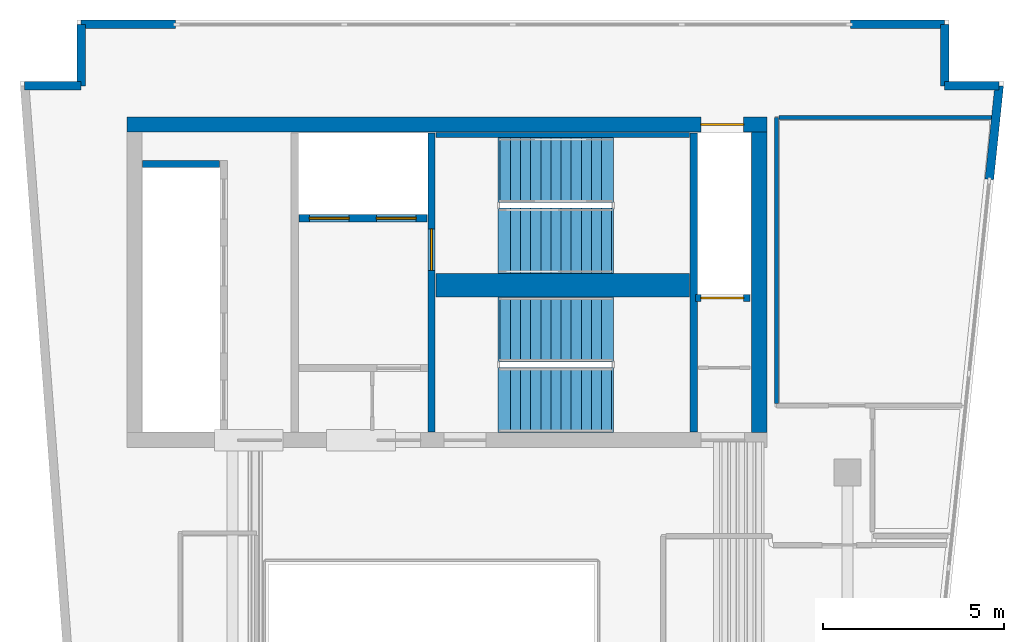
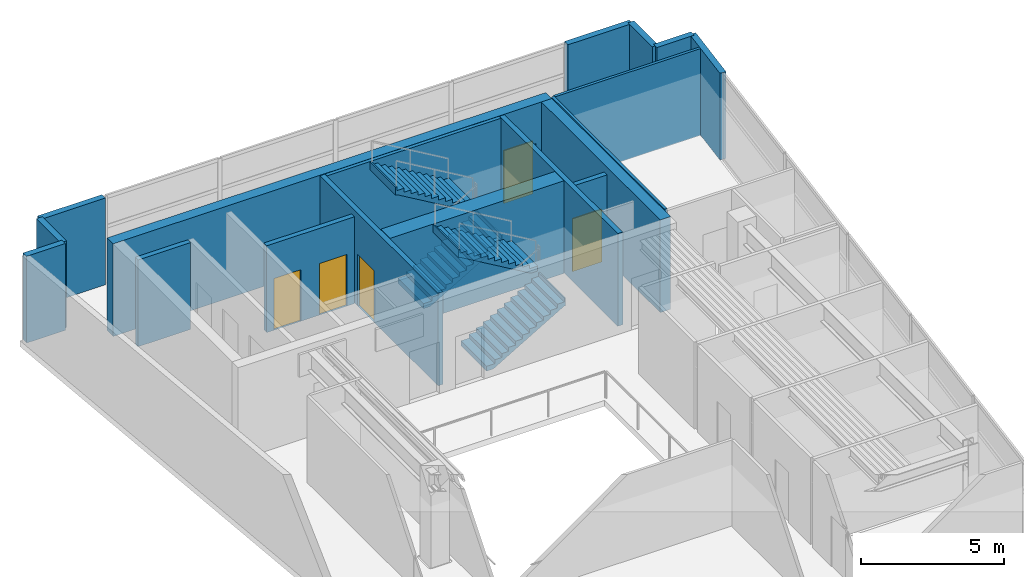
# One storey, part 4 of 6: 18 walls, 5 doors, 4 stair flights, 5 openings, 2 elements without a shape of their own.
"""IFC4 building model written with IfcOpenShell, lengths in metres."""

from ifc_helpers import new_model, si_unit, direction, frame, frame_2d, origin, place, context, subcontext, project, spatial, polyline, rectangle, outline, extrude, material, layer, layer_set, type_object, element, fill, aggregate, save


model = new_model("IFC4")

# Units and contexts
model_context = context("Model", 3, precision=1e-05, world=origin(), true_north=direction((0.0, 1.0)))
body_context = subcontext(model_context, "Body", "Model", "MODEL_VIEW")
ifc_project = project(units=[si_unit("LENGTHUNIT", "METRE"), si_unit("AREAUNIT", "SQUARE_METRE"), si_unit("VOLUMEUNIT", "CUBIC_METRE"), si_unit("PLANEANGLEUNIT", "RADIAN"), si_unit("MASSUNIT", "GRAM", prefix="KILO")], contexts=[model_context])

# Site, building, storey
site_placement = place(None, origin())
site = spatial("IfcSite", under=ifc_project, at=site_placement, CompositionType="ELEMENT")
building_placement = place(site_placement, origin())
building = spatial("IfcBuilding", under=site, at=building_placement, Name="Caeloran Harvest Quay", CompositionType="ELEMENT")
storey_placement = place(building_placement, frame((0.0, 0.0, 280.39990234375)))
storey = spatial("IfcBuildingStorey", under=building, at=storey_placement, Name="L67", CompositionType="ELEMENT", Elevation=280.39990234375)

# Walls
ifc_material_1 = material(Name="Precast concrete C50/60", Category="concrete")
ifc_layer_1 = layer(ifc_material_1, 0.239990234375, Name="Precast concrete C50/60")
ifc_layer_set_1 = layer_set([ifc_layer_1], Name="Precast concrete C50/60")
wall_type_1 = type_object("IfcWallType", Name="ENV-WALL-EW-240", PredefinedType="STANDARD", material=ifc_layer_set_1)
wall_1_placement = place(storey_placement, frame((2.7587890625, 41.679931640625, 0.0), z_axis=(0.0, 0.0, 1.0), x_axis=(1.0, 0.0, 0.0)))
element("IfcWall", 1, at=wall_1_placement, inside=storey, type_object=wall_type_1, Name="L67 Exterior Precast Concrete Facade Wall 4", PredefinedType="STANDARD", context=body_context, shape_type="SweptSolid", body=[
    extrude(rectangle(XDim=1.561279296875, YDim=0.239990234375, at=frame_2d((0.78076171875, 0.0))), origin(), (0.0, 0.0, 1.0), 3.7001953125),
])
wall_2_placement = place(storey_placement, frame((4.320068359375, 41.679931640625, 0.0), z_axis=(0.0, 0.0, 1.0), x_axis=(0.0, 1.0, 0.0)))
element("IfcWall", 2, at=wall_2_placement, inside=storey, type_object=wall_type_1, Name="L67 Exterior Precast Concrete Facade Wall 5", PredefinedType="STANDARD", context=body_context, shape_type="SweptSolid", body=[
    extrude(rectangle(XDim=1.699951171875, YDim=0.239990234375, at=frame_2d((0.85009765625, 0.0))), origin(), (0.0, 0.0, 1.0), 3.7001953125),
])
for number, where, z_axis, x_axis, name in (
    (3, (4.320068359375, 43.3798828125, 0.0), (0.0, 0.0, 1.0), (1.0, 0.0, 0.0), "L67 Exterior Facade Corner Pier Wall 6A"),
    (4, (25.580078125, 43.3798828125, 0.0), (0.0, 0.0, 1.0), (1.0, 0.0, 0.0), "L67 Exterior Facade Corner Pier Wall 6B"),
):
    element("IfcWall", number, at=place(storey_placement, frame(where, z_axis=z_axis, x_axis=x_axis)), inside=storey, type_object=wall_type_1, Name=name, PredefinedType="STANDARD", context=body_context, shape_type="SweptSolid", body=[
        extrude(rectangle(XDim=2.599853515625, YDim=0.239990234375, at=frame_2d((1.2998046875, 0.0))), origin(), (0.0, 0.0, 1.0), 3.7001953125),
    ])
wall_3_placement = place(storey_placement, frame((28.179931640625, 43.3798828125, 0.0), z_axis=(0.0, 0.0, 1.0), x_axis=(0.0, -1.0, 0.0)))
element("IfcWall", 5, at=wall_3_placement, inside=storey, type_object=wall_type_1, Name="L67 Exterior Precast Concrete Facade Wall 7", PredefinedType="STANDARD", context=body_context, shape_type="SweptSolid", body=[
    extrude(rectangle(XDim=1.699951171875, YDim=0.239990234375, at=frame_2d((0.85009765625, 0.0))), origin(), (0.0, 0.0, 1.0), 3.7001953125),
])
wall_4_placement = place(storey_placement, frame((28.179931640625, 41.679931640625, 0.0), z_axis=(0.0, 0.0, 1.0), x_axis=(1.0, 0.0, 0.0)))
element("IfcWall", 6, at=wall_4_placement, inside=storey, type_object=wall_type_1, Name="L67 Exterior Precast Concrete Facade Wall 8", PredefinedType="STANDARD", context=body_context, shape_type="SweptSolid", body=[
    extrude(rectangle(XDim=1.508056640625, YDim=0.239990234375, at=frame_2d((0.75390625, 0.0))), origin(), (0.0, 0.0, 1.0), 3.7001953125),
])
wall_5_placement = place(storey_placement, frame((29.68798828125, 41.679931640625, 0.0), z_axis=(0.0, 0.0, 1.0), x_axis=(-0.104420821624, -0.994533203071, 0.0)))
element("IfcWall", 7, at=wall_5_placement, inside=storey, type_object=wall_type_1, Name="L67 Exterior Facade Corner Pier Wall 9A", PredefinedType="STANDARD", context=body_context, shape_type="SweptSolid", body=[
    extrude(rectangle(XDim=2.599853515625, YDim=0.239990234375, at=frame_2d((1.2998046875, 0.0))), origin(), (0.0, 0.0, 1.0), 3.7001953125),
])
ifc_material_2 = material(Name="Single-Stud Acoustic Gypsum Office Partition", Category="gypsum")
ifc_layer_2 = layer(ifc_material_2, 0.112060546875, Name="Single-Stud Acoustic Gypsum Office Partition")
ifc_layer_set_2 = layer_set([ifc_layer_2], Name="Single-Stud Acoustic Gypsum Office Partition")
wall_type_2 = type_object("IfcWallType", Name="INT-WALL-PW-112", PredefinedType="PARTITIONING", material=ifc_layer_set_2)
wall_6_placement = place(storey_placement, frame((23.5400390625, 32.90087890625, 0.0), z_axis=(0.0, 0.0, 1.0), x_axis=(0.0, 1.0, 0.0)))
element("IfcWall", 8, at=wall_6_placement, inside=storey, type_object=wall_type_2, Name="L67 Bioinformatics and Crop Phenotyping Laboratory Partition Wall", PredefinedType="PARTITIONING", context=body_context, shape_type="SweptSolid", body=[
    extrude(rectangle(XDim=7.899169921875, YDim=0.112060546875, at=frame_2d((3.94970703125, 0.0))), origin(), (0.0, 0.0, 1.0), 3.7001953125),
])
wall_7_placement = place(storey_placement, frame((23.60107421875, 40.800048828125, 0.0), z_axis=(0.0, 0.0, 1.0), x_axis=(1.0, 0.0, 0.0)))
element("IfcWall", 9, at=wall_7_placement, inside=storey, type_object=wall_type_2, Name="L67 Bioinformatics and Crop Phenotyping Laboratory Partition Wall", PredefinedType="PARTITIONING", context=body_context, shape_type="SweptSolid", body=[
    extrude(rectangle(XDim=5.868896484375, YDim=0.112060546875, at=frame_2d((2.9345703125, 0.0))), origin(), (0.0, 0.0, 1.0), 3.7001953125),
])
ifc_material_3 = material(Name="Concrete C50/60", Category="concrete")
ifc_layer_3 = layer(ifc_material_3, 0.199951171875, Name="Concrete C50/60")
ifc_layer_set_3 = layer_set([ifc_layer_3], Name="Concrete C50/60")
wall_type_3 = type_object("IfcWallType", Name="INT-WALL-SW-200", PredefinedType="PARTITIONING", material=ifc_layer_set_3)
wall_8_placement = place(storey_placement, frame((6.02001953125, 39.52001953125, 0.0), z_axis=(0.0, 0.0, 1.0), x_axis=(1.0, 0.0, 0.0)))
element("IfcWall", 10, at=wall_8_placement, inside=storey, type_object=wall_type_3, Name="L67 Bank 3 Lift Shaft North End Wall", PredefinedType="PARTITIONING", context=body_context, shape_type="SweptSolid", body=[
    extrude(rectangle(XDim=2.119873046875, YDim=0.199951171875, at=frame_2d((1.06005859375, 0.0))), origin(), (0.0, 0.0, 1.0), 3.7001953125),
])

# Wall, openings, doors
wall_9_placement = place(storey_placement, frame((10.340087890625, 38.02001953125, 0.0), z_axis=(0.0, 0.0, 1.0), x_axis=(1.0, 0.0, 0.0)))
wall_9 = element("IfcWall", 11, at=wall_9_placement, inside=storey, type_object=wall_type_3, Name="L67 Firefighting Lift Shaft Wall", PredefinedType="PARTITIONING", context=body_context, shape_type="SweptSolid", body=[
    extrude(rectangle(XDim=3.539794921875, YDim=0.199951171875, at=frame_2d((1.77001953125, 0.0))), origin(), (0.0, 0.0, 1.0), 3.7001953125),
])
opening_1_placement = place(wall_9_placement, frame((0.284912109375, 0.0, 0.0)))
opening_1 = element("IfcOpeningElement", 12, at=opening_1_placement, cuts=wall_9, Name="Opening LD-01", PredefinedType="OPENING", context=body_context, shape_type="SweptSolid", body=[
    extrude(rectangle(XDim=1.10009765625, YDim=2.199951171875, at=frame_2d((0.550048828125, 1.10009765625))), frame((0.0, 0.10986328125, 0.0), z_axis=(0.0, -1.0, 0.0), x_axis=(1.0, 0.0, 0.0)), (0.0, 0.0, 1.0), 0.219970703125),
])
opening_2_placement = place(wall_9_placement, frame((2.135009765625, 0.0, 0.0)))
opening_2 = element("IfcOpeningElement", 13, at=opening_2_placement, cuts=wall_9, Name="Opening LD-01", PredefinedType="OPENING", context=body_context, shape_type="SweptSolid", body=[
    extrude(rectangle(XDim=1.10009765625, YDim=2.199951171875, at=frame_2d((0.550048828125, 1.10009765625))), frame((0.0, 0.10986328125, 0.0), z_axis=(0.0, -1.0, 0.0), x_axis=(1.0, 0.0, 0.0)), (0.0, 0.0, 1.0), 0.219970703125),
])
ifc_material_4 = material(Name="Stainless Steel Grade 316", Category="steel")
door_type_1 = type_object("IfcDoorType", Name="INTDOOR-LD-01", OperationType="NOTDEFINED", PredefinedType="DOOR", material=ifc_material_4)
door_1_placement = place(opening_1_placement, origin())
door_1 = element("IfcDoor", 14, at=door_1_placement, inside=storey, type_object=door_type_1, Name="Lift FF-1 Sliding Landing Door (L67)", OperationType="DOUBLE_DOOR_SLIDING", OverallHeight=2.199951171875, OverallWidth=1.10009765625, PredefinedType="DOOR", context=body_context, shape_type="SweptSolid", body=[
    extrude(rectangle(XDim=1.10009765625, YDim=2.199951171875, at=frame_2d((0.550048828125, 1.10009765625))), frame((0.0, 0.02490234375, 0.0), z_axis=(0.0, -1.0, 0.0), x_axis=(1.0, 0.0, 0.0)), (0.0, 0.0, 1.0), 0.050048828125),
])
fill(opening_1, door_1)
door_2_placement = place(opening_2_placement, origin())
door_2 = element("IfcDoor", 15, at=door_2_placement, inside=storey, type_object=door_type_1, Name="Lift FF-2 Sliding Landing Door (L67)", OperationType="DOUBLE_DOOR_SLIDING", OverallHeight=2.199951171875, OverallWidth=1.10009765625, PredefinedType="DOOR", context=body_context, shape_type="SweptSolid", body=[
    extrude(rectangle(XDim=1.10009765625, YDim=2.199951171875, at=frame_2d((0.550048828125, 1.10009765625))), frame((0.0, 0.02490234375, 0.0), z_axis=(0.0, -1.0, 0.0), x_axis=(1.0, 0.0, 0.0)), (0.0, 0.0, 1.0), 0.050048828125),
])
fill(opening_2, door_2)

# Wall, opening, door
wall_10_placement = place(storey_placement, frame((21.300048828125, 35.820068359375, 0.0), z_axis=(0.0, 0.0, 1.0), x_axis=(1.0, 0.0, 0.0)))
wall_10 = element("IfcWall", 16, at=wall_10_placement, inside=storey, type_object=wall_type_3, Name="L67 Service Lift SV-2 Shaft Wall", PredefinedType="PARTITIONING", context=body_context, shape_type="SweptSolid", body=[
    extrude(rectangle(XDim=1.5, YDim=0.199951171875, at=frame_2d((0.75, 0.0))), origin(), (0.0, 0.0, 1.0), 3.7001953125),
])
opening_3_placement = place(wall_10_placement, frame((0.14501953125, 0.0, 0.0)))
opening_3 = element("IfcOpeningElement", 17, at=opening_3_placement, cuts=wall_10, Name="Opening LD-02", PredefinedType="OPENING", context=body_context, shape_type="SweptSolid", body=[
    extrude(rectangle(XDim=1.179931640625, YDim=2.25, at=frame_2d((0.58984375, 1.125))), frame((0.0, 0.10986328125, 0.0), z_axis=(0.0, -1.0, 0.0), x_axis=(1.0, 0.0, 0.0)), (0.0, 0.0, 1.0), 0.219970703125),
])
door_type_2 = type_object("IfcDoorType", Name="INTDOOR-LD-02", OperationType="NOTDEFINED", PredefinedType="DOOR", material=ifc_material_4)
door_3_placement = place(opening_3_placement, origin())
door_3 = element("IfcDoor", 18, at=door_3_placement, inside=storey, type_object=door_type_2, Name="Lift SV-2 Sliding Landing Door (L67)", OperationType="DOUBLE_DOOR_SLIDING", OverallHeight=2.25, OverallWidth=1.179931640625, PredefinedType="DOOR", context=body_context, shape_type="SweptSolid", body=[
    extrude(rectangle(XDim=1.179931640625, YDim=2.25, at=frame_2d((0.58984375, 1.125))), frame((0.0, 0.02490234375, 0.0), z_axis=(0.0, -1.0, 0.0), x_axis=(1.0, 0.0, 0.0)), (0.0, 0.0, 1.0), 0.050048828125),
])
fill(opening_3, door_3)

ifc_material_5 = material(Name="Concrete C60/75", Category="concrete")
ifc_layer_4 = layer(ifc_material_5, 0.419921875, Name="Concrete C60/75")
ifc_layer_set_4 = layer_set([ifc_layer_4], Name="Concrete C60/75")
wall_type_4 = type_object("IfcWallType", Name="STR-WALL-CW-420", PredefinedType="SHEAR", material=ifc_layer_set_4)
wall_11_placement = place(storey_placement, frame((5.580078125, 40.610107421875, 0.0), z_axis=(0.0, 0.0, 1.0), x_axis=(1.0, 0.0, 0.0)))
wall_11 = element("IfcWall", 19, at=wall_11_placement, inside=storey, type_object=wall_type_4, Name="L67 Rear Core Shear Wall N", PredefinedType="SHEAR", context=body_context, shape_type="SweptSolid", body=[
    extrude(rectangle(XDim=17.68994140625, YDim=0.419921875, at=frame_2d((8.844970703125, 0.0))), origin(), (0.0, 0.0, 1.0), 3.9501953125),
])
opening_4_placement = place(wall_11_placement, frame((15.864990234375, 0.0, 0.0)))
opening_4 = element("IfcOpeningElement", 20, at=opening_4_placement, cuts=wall_11, Name="Opening LD-02", PredefinedType="OPENING", context=body_context, shape_type="SweptSolid", body=[
    extrude(rectangle(XDim=1.179931640625, YDim=2.25, at=frame_2d((0.58984375, 1.125))), frame((0.0, 0.219970703125, 0.0), z_axis=(0.0, -1.0, 0.0), x_axis=(1.0, 0.0, 0.0)), (0.0, 0.0, 1.0), 0.43994140625),
])
door_4_placement = place(opening_4_placement, origin())
door_4 = element("IfcDoor", 21, at=door_4_placement, inside=storey, type_object=door_type_2, Name="Lift SV-1 Sliding Landing Door (L67)", OperationType="DOUBLE_DOOR_SLIDING", OverallHeight=2.25, OverallWidth=1.179931640625, PredefinedType="DOOR", context=body_context, shape_type="SweptSolid", body=[
    extrude(rectangle(XDim=1.179931640625, YDim=2.25, at=frame_2d((0.58984375, 1.125))), frame((0.0, 0.02490234375, 0.0), z_axis=(0.0, -1.0, 0.0), x_axis=(1.0, 0.0, 0.0)), (0.0, 0.0, 1.0), 0.050048828125),
])
fill(opening_4, door_4)

# Walls
wall_12_placement = place(storey_placement, frame((23.06005859375, 32.10009765625, 0.0), z_axis=(0.0, 0.0, 1.0), x_axis=(0.0, 1.0, 0.0)))
element("IfcWall", 22, at=wall_12_placement, inside=storey, type_object=wall_type_4, Name="L67 Rear Core Shear Wall E", PredefinedType="SHEAR", context=body_context, shape_type="SweptSolid", body=[
    extrude(rectangle(XDim=8.2998046875, YDim=0.419921875, at=frame_2d((4.14990234375, 0.0))), origin(), (0.0, 0.0, 1.0), 3.9501953125),
])
ifc_layer_5 = layer(ifc_material_5, 0.64990234375, Name="Concrete C60/75")
ifc_layer_set_5 = layer_set([ifc_layer_5], Name="Concrete C60/75")
wall_type_5 = type_object("IfcWallType", Name="STR-WALL-CW-650", PredefinedType="SHEAR", material=ifc_layer_set_5)
wall_13_placement = place(storey_placement, frame((14.1201171875, 36.175048828125, 0.0), z_axis=(0.0, 0.0, 1.0), x_axis=(1.0, 0.0, 0.0)))
element("IfcWall", 23, at=wall_13_placement, inside=storey, type_object=wall_type_5, Name="L67 Core Stairs Dividing Shear Wall", PredefinedType="SHEAR", context=body_context, shape_type="SweptSolid", body=[
    extrude(rectangle(XDim=7.009765625, YDim=0.64990234375, at=frame_2d((3.5048828125, 0.0))), origin(), (0.0, 0.0, 1.0), 3.9501953125),
])
ifc_layer_6 = layer(ifc_material_5, 0.139892578125, Name="Concrete C60/75")
ifc_layer_set_6 = layer_set([ifc_layer_6], Name="Concrete C60/75")
wall_type_6 = type_object("IfcWallType", Name="STR-WALL-SW-140", PredefinedType="SHEAR", material=ifc_layer_set_6)
wall_14_placement = place(storey_placement, frame((14.1201171875, 40.320068359375, 0.0), z_axis=(0.0, 0.0, 1.0), x_axis=(1.0, 0.0, 0.0)))
element("IfcWall", 24, at=wall_14_placement, inside=storey, type_object=wall_type_6, Name="L67 Core Stair ST-C1 North Bearing Shear Wall", PredefinedType="SHEAR", context=body_context, shape_type="SweptSolid", body=[
    extrude(rectangle(XDim=7.009765625, YDim=0.139892578125, at=frame_2d((3.5048828125, 0.0))), origin(), (0.0, 0.0, 1.0), 3.9501953125),
])

# Wall, opening, door
ifc_layer_7 = layer(ifc_material_5, 0.199951171875, Name="Concrete C60/75")
ifc_layer_set_7 = layer_set([ifc_layer_7], Name="Concrete C60/75")
wall_type_7 = type_object("IfcWallType", Name="STR-WALL-SW-200", PredefinedType="SHEAR", material=ifc_layer_set_7)
wall_15_placement = place(storey_placement, frame((14.0, 32.1201171875, 0.0), z_axis=(0.0, 0.0, 1.0), x_axis=(0.0, 1.0, 0.0)))
wall_15 = element("IfcWall", 25, at=wall_15_placement, inside=storey, type_object=wall_type_7, Name="L67 Core Stair Shaft West Shear Wall", PredefinedType="SHEAR", context=body_context, shape_type="SweptSolid", body=[
    extrude(rectangle(XDim=8.259765625, YDim=0.199951171875, at=frame_2d((4.1298828125, 0.0))), origin(), (0.0, 0.0, 1.0), 3.9501953125),
])
opening_5_placement = place(wall_15_placement, frame((4.4599609375, 0.0, 0.0)))
opening_5 = element("IfcOpeningElement", 26, at=opening_5_placement, cuts=wall_15, Name="Opening SD-01", PredefinedType="OPENING", context=body_context, shape_type="SweptSolid", body=[
    extrude(rectangle(XDim=1.14990234375, YDim=2.199951171875, at=frame_2d((0.574951171875, 1.10009765625))), frame((0.0, 0.10986328125, 0.0), z_axis=(0.0, -1.0, 0.0), x_axis=(1.0, 0.0, 0.0)), (0.0, 0.0, 1.0), 0.219970703125),
])
ifc_material_6 = material(Name="Steel", Category="steel")
door_type_3 = type_object("IfcDoorType", Name="INTDOOR-SD-01", OperationType="NOTDEFINED", PredefinedType="DOOR", material=ifc_material_6)
door_5_placement = place(opening_5_placement, origin())
door_5 = element("IfcDoor", 27, at=door_5_placement, inside=storey, type_object=door_type_3, Name="L67 Protected Stair ST-C1 Exit Door", OperationType="SINGLE_SWING_LEFT", OverallHeight=2.199951171875, OverallWidth=1.14990234375, PredefinedType="DOOR", context=body_context, shape_type="SweptSolid", body=[
    extrude(rectangle(XDim=1.14990234375, YDim=2.199951171875, at=frame_2d((0.574951171875, 1.10009765625))), frame((0.0, 0.02490234375, 0.0), z_axis=(0.0, -1.0, 0.0), x_axis=(1.0, 0.0, 0.0)), (0.0, 0.0, 1.0), 0.050048828125),
])
fill(opening_5, door_5)

# Wall
wall_16_placement = place(storey_placement, frame((21.25, 32.1201171875, 0.0), z_axis=(0.0, 0.0, 1.0), x_axis=(0.0, 1.0, 0.0)))
element("IfcWall", 28, at=wall_16_placement, inside=storey, type_object=wall_type_7, Name="L67 Core Stair Shaft East Shear Wall", PredefinedType="SHEAR", context=body_context, shape_type="SweptSolid", body=[
    extrude(rectangle(XDim=8.259765625, YDim=0.199951171875, at=frame_2d((4.1298828125, 0.0))), origin(), (0.0, 0.0, 1.0), 3.9501953125),
])

# Stair, stair flights
stair_type = type_object("IfcStairType", Name="STAIR-STC-180", PredefinedType="HALF_TURN_STAIR", material=ifc_material_3)
stair_1_placement = place(storey_placement, origin())
stair_1 = element("IfcStair", 29, at=stair_1_placement, inside=storey, type_object=stair_type, Name="L67 Core Pressurized Exit Stair ST-C1", PredefinedType="HALF_TURN_STAIR")
stair_flight_type = type_object("IfcStairFlightType", Name="FLIGHT-STC-180", PredefinedType="STRAIGHT", material=ifc_material_3)
stair_flight_1_placement = place(storey_placement, frame((15.89990234375, 37.39990234375, 0.0), z_axis=(0.0, 0.0, 1.0), x_axis=(1.0, 0.0, 0.0)))
stair_flight_1 = element("IfcStairFlight", 30, at=stair_flight_1_placement, type_object=stair_flight_type, Name="ST-C1 flight 1", NumberOfRisers=12, NumberOfTreads=11, PredefinedType="STRAIGHT", RiserHeight=0.164583333, TreadLength=0.28, context=body_context, shape_type="SweptSolid", body=[
    extrude(outline(polyline([(-0.054931640625, -0.044921875), (-0.054931640625, -0.031982421875), (-0.054931640625, -0.018798828125), (-0.054931640625, -0.005615234375), (-0.054931640625, 0.00732421875), (-0.054931640625, 0.0205078125), (-0.054931640625, 0.03369140625), (-0.054931640625, 0.046630859375), (-0.054931640625, 0.059814453125), (-0.054931640625, 0.072998046875), (-0.054931640625, 0.0859375), (-0.054931640625, 0.09912109375), (-0.054931640625, 0.1123046875), (-0.054931640625, 0.125244140625), (-0.054931640625, 0.138427734375), (-0.054931640625, 0.1513671875), (-0.054931640625, 0.16455078125), (0.280029296875, 0.16455078125), (0.280029296875, 0.3291015625), (0.56005859375, 0.3291015625), (0.56005859375, 0.49365234375), (0.840087890625, 0.49365234375), (0.840087890625, 0.658447265625), (1.1201171875, 0.658447265625), (1.1201171875, 0.822998046875), (1.39990234375, 0.822998046875), (1.39990234375, 0.987548828125), (1.679931640625, 0.987548828125), (1.679931640625, 1.152099609375), (1.9599609375, 1.152099609375), (1.9599609375, 1.316650390625), (2.239990234375, 1.316650390625), (2.239990234375, 1.481201171875), (2.52001953125, 1.481201171875), (2.52001953125, 1.645751953125), (2.800048828125, 1.645751953125), (2.800048828125, 1.810302734375), (3.080078125, 1.810302734375), (3.080078125, 1.97509765625), (3.135009765625, 1.97509765625), (3.135009765625, 1.953857421875), (3.135009765625, 1.9326171875), (3.135009765625, 1.91162109375), (3.135009765625, 1.890380859375), (3.135009765625, 1.869140625), (3.135009765625, 1.84814453125), (3.135009765625, 1.826904296875), (3.135009765625, 1.8056640625), (3.135009765625, 1.78466796875), (3.135009765625, 1.763427734375), (3.135009765625, 1.7421875), (3.135009765625, 1.72119140625), (3.135009765625, 1.699951171875), (3.135009765625, 1.678955078125), (3.135009765625, 1.65771484375), (3.135009765625, 1.636474609375), (3.080078125, 1.636474609375), (0.21923828125, -0.044921875), (-0.054931640625, -0.044921875)])), frame((0.0, 0.89990234375, 0.0), z_axis=(0.0, -1.0, 0.0), x_axis=(1.0, 0.0, 0.0)), (0.0, 0.0, 1.0), 1.800048828125),
])
stair_flight_2_placement = place(storey_placement, frame((18.97998046875, 39.35009765625, 1.97509765625), z_axis=(0.0, 0.0, 1.0), x_axis=(-1.0, 0.0, 0.0)))
stair_flight_2 = element("IfcStairFlight", 31, at=stair_flight_2_placement, type_object=stair_flight_type, Name="ST-C1 flight 2", NumberOfRisers=12, NumberOfTreads=11, PredefinedType="STRAIGHT", RiserHeight=0.164583333, TreadLength=0.28, context=body_context, shape_type="SweptSolid", body=[
    extrude(outline(polyline([(-0.054931640625, -0.044921875), (-0.054931640625, -0.031982421875), (-0.054931640625, -0.018798828125), (-0.054931640625, -0.005615234375), (-0.054931640625, 0.00732421875), (-0.054931640625, 0.0205078125), (-0.054931640625, 0.03369140625), (-0.054931640625, 0.046630859375), (-0.054931640625, 0.059814453125), (-0.054931640625, 0.072998046875), (-0.054931640625, 0.0859375), (-0.054931640625, 0.09912109375), (-0.054931640625, 0.1123046875), (-0.054931640625, 0.125244140625), (-0.054931640625, 0.138427734375), (-0.054931640625, 0.1513671875), (-0.054931640625, 0.16455078125), (0.280029296875, 0.16455078125), (0.280029296875, 0.3291015625), (0.56005859375, 0.3291015625), (0.56005859375, 0.49365234375), (0.840087890625, 0.49365234375), (0.840087890625, 0.658447265625), (1.1201171875, 0.658447265625), (1.1201171875, 0.822998046875), (1.39990234375, 0.822998046875), (1.39990234375, 0.987548828125), (1.679931640625, 0.987548828125), (1.679931640625, 1.152099609375), (1.9599609375, 1.152099609375), (1.9599609375, 1.316650390625), (2.239990234375, 1.316650390625), (2.239990234375, 1.481201171875), (2.52001953125, 1.481201171875), (2.52001953125, 1.645751953125), (2.800048828125, 1.645751953125), (2.800048828125, 1.810302734375), (3.080078125, 1.810302734375), (3.080078125, 1.97509765625), (3.135009765625, 1.97509765625), (3.135009765625, 1.953857421875), (3.135009765625, 1.9326171875), (3.135009765625, 1.91162109375), (3.135009765625, 1.890380859375), (3.135009765625, 1.869140625), (3.135009765625, 1.84814453125), (3.135009765625, 1.826904296875), (3.135009765625, 1.8056640625), (3.135009765625, 1.78466796875), (3.135009765625, 1.763427734375), (3.135009765625, 1.7421875), (3.135009765625, 1.72119140625), (3.135009765625, 1.699951171875), (3.135009765625, 1.678955078125), (3.135009765625, 1.65771484375), (3.135009765625, 1.636474609375), (3.080078125, 1.636474609375), (0.21923828125, -0.044921875), (-0.054931640625, -0.044921875)])), frame((0.0, 0.89990234375, 0.0), z_axis=(0.0, -1.0, 0.0), x_axis=(1.0, 0.0, 0.0)), (0.0, 0.0, 1.0), 1.800048828125),
])
aggregate(stair_1, [stair_flight_1, stair_flight_2])

stair_2_placement = place(storey_placement, origin())
stair_2 = element("IfcStair", 32, at=stair_2_placement, inside=storey, type_object=stair_type, Name="L67 Core Pressurized Exit Stair ST-C2", PredefinedType="HALF_TURN_STAIR")
stair_flight_3_placement = place(storey_placement, frame((15.89990234375, 33.0, 0.0), z_axis=(0.0, 0.0, 1.0), x_axis=(1.0, 0.0, 0.0)))
stair_flight_3 = element("IfcStairFlight", 33, at=stair_flight_3_placement, type_object=stair_flight_type, Name="ST-C2 flight 1", NumberOfRisers=12, NumberOfTreads=11, PredefinedType="STRAIGHT", RiserHeight=0.164583333, TreadLength=0.28, context=body_context, shape_type="SweptSolid", body=[
    extrude(outline(polyline([(-0.054931640625, -0.044921875), (-0.054931640625, -0.031982421875), (-0.054931640625, -0.018798828125), (-0.054931640625, -0.005615234375), (-0.054931640625, 0.00732421875), (-0.054931640625, 0.0205078125), (-0.054931640625, 0.03369140625), (-0.054931640625, 0.046630859375), (-0.054931640625, 0.059814453125), (-0.054931640625, 0.072998046875), (-0.054931640625, 0.0859375), (-0.054931640625, 0.09912109375), (-0.054931640625, 0.1123046875), (-0.054931640625, 0.125244140625), (-0.054931640625, 0.138427734375), (-0.054931640625, 0.1513671875), (-0.054931640625, 0.16455078125), (0.280029296875, 0.16455078125), (0.280029296875, 0.3291015625), (0.56005859375, 0.3291015625), (0.56005859375, 0.49365234375), (0.840087890625, 0.49365234375), (0.840087890625, 0.658447265625), (1.1201171875, 0.658447265625), (1.1201171875, 0.822998046875), (1.39990234375, 0.822998046875), (1.39990234375, 0.987548828125), (1.679931640625, 0.987548828125), (1.679931640625, 1.152099609375), (1.9599609375, 1.152099609375), (1.9599609375, 1.316650390625), (2.239990234375, 1.316650390625), (2.239990234375, 1.481201171875), (2.52001953125, 1.481201171875), (2.52001953125, 1.645751953125), (2.800048828125, 1.645751953125), (2.800048828125, 1.810302734375), (3.080078125, 1.810302734375), (3.080078125, 1.97509765625), (3.135009765625, 1.97509765625), (3.135009765625, 1.953857421875), (3.135009765625, 1.9326171875), (3.135009765625, 1.91162109375), (3.135009765625, 1.890380859375), (3.135009765625, 1.869140625), (3.135009765625, 1.84814453125), (3.135009765625, 1.826904296875), (3.135009765625, 1.8056640625), (3.135009765625, 1.78466796875), (3.135009765625, 1.763427734375), (3.135009765625, 1.7421875), (3.135009765625, 1.72119140625), (3.135009765625, 1.699951171875), (3.135009765625, 1.678955078125), (3.135009765625, 1.65771484375), (3.135009765625, 1.636474609375), (3.080078125, 1.636474609375), (0.21923828125, -0.044921875), (-0.054931640625, -0.044921875)])), frame((0.0, 0.89990234375, 0.0), z_axis=(0.0, -1.0, 0.0), x_axis=(1.0, 0.0, 0.0)), (0.0, 0.0, 1.0), 1.800048828125),
])
stair_flight_4_placement = place(storey_placement, frame((18.97998046875, 34.949951171875, 1.97509765625), z_axis=(0.0, 0.0, 1.0), x_axis=(-1.0, 0.0, 0.0)))
stair_flight_4 = element("IfcStairFlight", 34, at=stair_flight_4_placement, type_object=stair_flight_type, Name="ST-C2 flight 2", NumberOfRisers=12, NumberOfTreads=11, PredefinedType="STRAIGHT", RiserHeight=0.164583333, TreadLength=0.28, context=body_context, shape_type="SweptSolid", body=[
    extrude(outline(polyline([(-0.054931640625, -0.044921875), (-0.054931640625, -0.031982421875), (-0.054931640625, -0.018798828125), (-0.054931640625, -0.005615234375), (-0.054931640625, 0.00732421875), (-0.054931640625, 0.0205078125), (-0.054931640625, 0.03369140625), (-0.054931640625, 0.046630859375), (-0.054931640625, 0.059814453125), (-0.054931640625, 0.072998046875), (-0.054931640625, 0.0859375), (-0.054931640625, 0.09912109375), (-0.054931640625, 0.1123046875), (-0.054931640625, 0.125244140625), (-0.054931640625, 0.138427734375), (-0.054931640625, 0.1513671875), (-0.054931640625, 0.16455078125), (0.280029296875, 0.16455078125), (0.280029296875, 0.3291015625), (0.56005859375, 0.3291015625), (0.56005859375, 0.49365234375), (0.840087890625, 0.49365234375), (0.840087890625, 0.658447265625), (1.1201171875, 0.658447265625), (1.1201171875, 0.822998046875), (1.39990234375, 0.822998046875), (1.39990234375, 0.987548828125), (1.679931640625, 0.987548828125), (1.679931640625, 1.152099609375), (1.9599609375, 1.152099609375), (1.9599609375, 1.316650390625), (2.239990234375, 1.316650390625), (2.239990234375, 1.481201171875), (2.52001953125, 1.481201171875), (2.52001953125, 1.645751953125), (2.800048828125, 1.645751953125), (2.800048828125, 1.810302734375), (3.080078125, 1.810302734375), (3.080078125, 1.97509765625), (3.135009765625, 1.97509765625), (3.135009765625, 1.953857421875), (3.135009765625, 1.9326171875), (3.135009765625, 1.91162109375), (3.135009765625, 1.890380859375), (3.135009765625, 1.869140625), (3.135009765625, 1.84814453125), (3.135009765625, 1.826904296875), (3.135009765625, 1.8056640625), (3.135009765625, 1.78466796875), (3.135009765625, 1.763427734375), (3.135009765625, 1.7421875), (3.135009765625, 1.72119140625), (3.135009765625, 1.699951171875), (3.135009765625, 1.678955078125), (3.135009765625, 1.65771484375), (3.135009765625, 1.636474609375), (3.080078125, 1.636474609375), (0.21923828125, -0.044921875), (-0.054931640625, -0.044921875)])), frame((0.0, 0.89990234375, 0.0), z_axis=(0.0, -1.0, 0.0), x_axis=(1.0, 0.0, 0.0)), (0.0, 0.0, 1.0), 1.800048828125),
])
aggregate(stair_2, [stair_flight_3, stair_flight_4])

save(model, "model.ifc")
